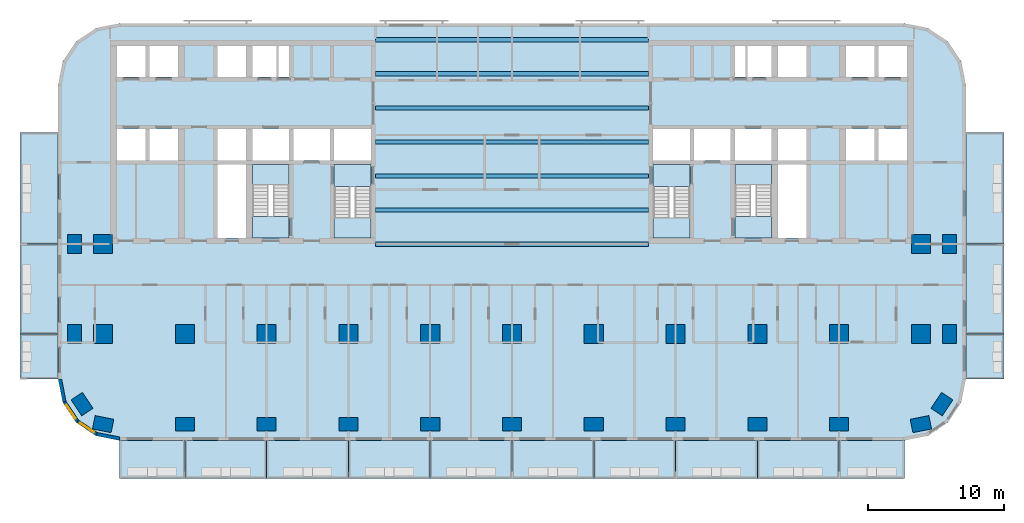
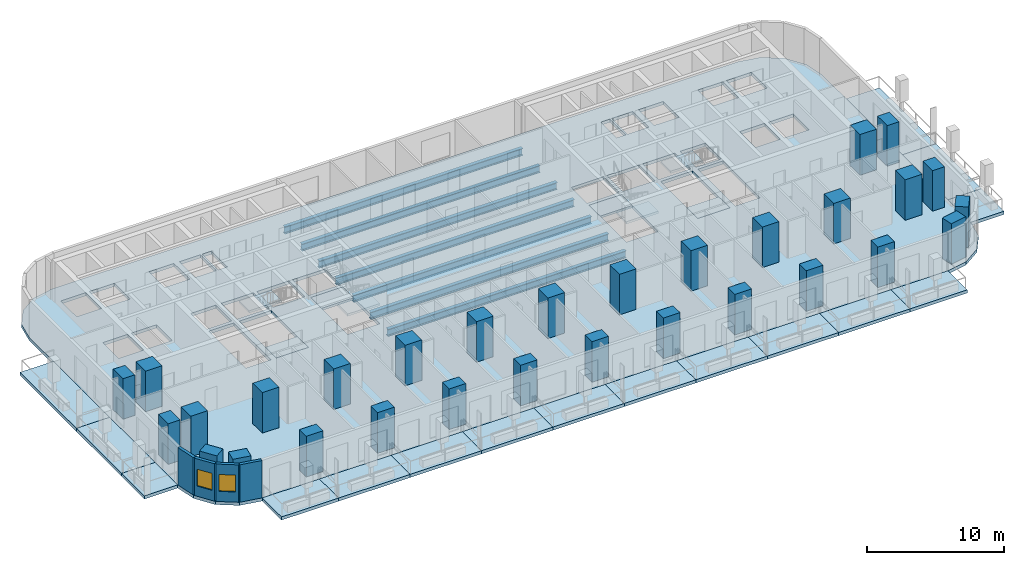
# One storey, part 1 of 14: 30 columns, 25 slabs, 7 beams, 4 walls, 2 windows, 2 openings, 4 elements without a shape of their own.
"""IFC4 building model written with IfcOpenShell, lengths in metres."""

from ifc_helpers import new_model, si_unit, direction, frame, frame_2d, origin, origin_2d, place, context, subcontext, project, spatial, polyline, rectangle, i_section, outline, extrude, material, layer, layer_set, material_profile, profile_set, type_object, element, fill, aggregate, save


model = new_model("IFC4")

# Units and contexts
model_context = context("Model", 3, precision=1e-05, world=origin(), true_north=direction((0.0, 1.0)))
body_context = subcontext(model_context, "Body", "Model", "MODEL_VIEW")
ifc_project = project(units=[si_unit("LENGTHUNIT", "METRE"), si_unit("AREAUNIT", "SQUARE_METRE"), si_unit("VOLUMEUNIT", "CUBIC_METRE"), si_unit("PLANEANGLEUNIT", "RADIAN"), si_unit("MASSUNIT", "GRAM", prefix="KILO")], contexts=[model_context])

# Site, building, storey
site_placement = place(None, origin())
site = spatial("IfcSite", under=ifc_project, at=site_placement, CompositionType="ELEMENT")
building_placement = place(site_placement, origin())
building = spatial("IfcBuilding", under=site, at=building_placement, Name="Torana Hotel and Residences", CompositionType="ELEMENT")
storey_placement = place(building_placement, frame((0.0, 0.0, 34.800048828125)))
storey = spatial("IfcBuildingStorey", under=building, at=storey_placement, Name="L07", CompositionType="ELEMENT", Elevation=34.800048828125)

# Columns
ifc_material_1 = material(Name="Concrete C70/85", Category="concrete")
ifc_material_profile_1 = material_profile(ifc_material_1, rectangle(XDim=1.39990234375, YDim=1.0, at=origin_2d()), Name="RC 1400x1000")
ifc_profile_set_1 = profile_set([ifc_material_profile_1], Name="Concrete C70/85")
column_type_1 = type_object("IfcColumnType", Name="COLUMN RC 1400x1000 C70/85", PredefinedType="COLUMN", material=ifc_profile_set_1)
for number, where, z_axis, x_axis, name in (
    (1, (-32.10009765625, -21.60009765625, 0.0), (0.0, 0.0, 1.0), (0.0, 1.0, 0.0), "Column L07"),
    (2, (-32.10009765625, -15.0, 0.0), (0.0, 0.0, 1.0), (0.0, 1.0, 0.0), "Column L07"),
    (3, (-31.5439453125, -26.73291015625, 0.0), (0.0, 0.0, 1.0), (-0.555584744817, 0.831459915646, 0.0), "Column L07"),
    (4, (-30.0, -28.199951171875, 0.0), (0.0, 0.0, 1.0), (-0.980792089743, 0.195056086032, 0.0), "Column L07"),
    (5, (-24.0, -28.199951171875, 0.0), (0.0, 0.0, 1.0), (1.0, 0.0, 0.0), "Column L07"),
    (6, (-18.0, -28.199951171875, 0.0), (0.0, 0.0, 1.0), (1.0, 0.0, 0.0), "Column L07"),
    (7, (-12.0, -28.199951171875, 0.0), (0.0, 0.0, 1.0), (1.0, 0.0, 0.0), "Column L07"),
    (8, (-6.0, -28.199951171875, 0.0), (0.0, 0.0, 1.0), (1.0, 0.0, 0.0), "Column L07"),
    (9, (0.0, -28.199951171875, 0.0), (0.0, 0.0, 1.0), (1.0, 0.0, 0.0), "Column L07"),
    (10, (6.0, -28.199951171875, 0.0), (0.0, 0.0, 1.0), (1.0, 0.0, 0.0), "Column L07"),
    (11, (12.0, -28.199951171875, 0.0), (0.0, 0.0, 1.0), (1.0, 0.0, 0.0), "Column L07"),
    (12, (18.0, -28.199951171875, 0.0), (0.0, 0.0, 1.0), (1.0, 0.0, 0.0), "Column L07"),
    (13, (24.0, -28.199951171875, 0.0), (0.0, 0.0, 1.0), (1.0, 0.0, 0.0), "Column L07"),
    (14, (30.0, -28.199951171875, 0.0), (0.0, 0.0, 1.0), (0.980792089743, 0.195056086032, 0.0), "Column L07"),
    (15, (31.5439453125, -26.73291015625, 0.0), (0.0, 0.0, 1.0), (0.555584744817, 0.831459915646, 0.0), "Column L07"),
    (16, (32.10009765625, -21.60009765625, 0.0), (0.0, 0.0, 1.0), (0.0, 1.0, 0.0), "Column L07"),
    (17, (32.10009765625, -15.0, 0.0), (0.0, 0.0, 1.0), (0.0, 1.0, 0.0), "Column L07"),
):
    element("IfcColumn", number, at=place(storey_placement, frame(where, z_axis=z_axis, x_axis=x_axis)), inside=storey, type_object=column_type_1, Name=name, PredefinedType="COLUMN", context=body_context, shape_type="SweptSolid", body=[
        extrude(rectangle(XDim=1.39990234375, YDim=1.0, at=origin_2d()), origin(), (0.0, 0.0, 1.0), 3.599853515625),
    ])
ifc_material_2 = material(Name="Concrete C70/85", Category="concrete")
ifc_material_profile_2 = material_profile(ifc_material_2, rectangle(XDim=1.39990234375, YDim=1.39990234375, at=origin_2d()), Name="RC 1400x1400")
ifc_profile_set_2 = profile_set([ifc_material_profile_2], Name="Concrete C70/85")
column_type_2 = type_object("IfcColumnType", Name="COLUMN RC 1400x1400 C70/85", PredefinedType="COLUMN", material=ifc_profile_set_2)
for number, where, z_axis, x_axis, name in (
    (18, (-30.0, -21.60009765625, 0.0), (0.0, 0.0, 1.0), (1.0, 0.0, 0.0), "Column L07"),
    (19, (-30.0, -15.0, 0.0), (0.0, 0.0, 1.0), (1.0, 0.0, 0.0), "Column L07"),
    (20, (-24.0, -21.60009765625, 0.0), (0.0, 0.0, 1.0), (1.0, 0.0, 0.0), "Column L07"),
    (21, (-18.0, -21.60009765625, 0.0), (0.0, 0.0, 1.0), (1.0, 0.0, 0.0), "Column L07"),
    (22, (-12.0, -21.60009765625, 0.0), (0.0, 0.0, 1.0), (1.0, 0.0, 0.0), "Column L07"),
    (23, (-6.0, -21.60009765625, 0.0), (0.0, 0.0, 1.0), (1.0, 0.0, 0.0), "Column L07"),
    (24, (0.0, -21.60009765625, 0.0), (0.0, 0.0, 1.0), (1.0, 0.0, 0.0), "Column L07"),
    (25, (6.0, -21.60009765625, 0.0), (0.0, 0.0, 1.0), (1.0, 0.0, 0.0), "Column L07"),
    (26, (12.0, -21.60009765625, 0.0), (0.0, 0.0, 1.0), (1.0, 0.0, 0.0), "Column L07"),
    (27, (18.0, -21.60009765625, 0.0), (0.0, 0.0, 1.0), (1.0, 0.0, 0.0), "Column L07"),
    (28, (24.0, -21.60009765625, 0.0), (0.0, 0.0, 1.0), (1.0, 0.0, 0.0), "Column L07"),
    (29, (30.0, -21.60009765625, 0.0), (0.0, 0.0, 1.0), (1.0, 0.0, 0.0), "Column L07"),
    (30, (30.0, -15.0, 0.0), (0.0, 0.0, 1.0), (1.0, 0.0, 0.0), "Column L07"),
):
    element("IfcColumn", number, at=place(storey_placement, frame(where, z_axis=z_axis, x_axis=x_axis)), inside=storey, type_object=column_type_2, Name=name, PredefinedType="COLUMN", context=body_context, shape_type="SweptSolid", body=[
        extrude(rectangle(XDim=1.39990234375, YDim=1.39990234375, at=origin_2d()), origin(), (0.0, 0.0, 1.0), 3.599853515625),
    ])

# Beams
ifc_material_3 = material(Name="Steel S355", Category="steel")
ifc_material_profile_3 = material_profile(ifc_material_3, i_section(OverallWidth=0.311279296875, OverallDepth=0.6357421875, WebThickness=0.018310546875, FlangeThickness=0.031494140625, FilletRadius=0.0166015625, at=origin_2d()), Name="610x305x238 UB")
ifc_profile_set_3 = profile_set([ifc_material_profile_3], Name="Steel S355")
beam_type = type_object("IfcBeamType", Name="STEEL GIRDER 610x305x238 UB", PredefinedType="BEAM", material=ifc_profile_set_3)
for number, where, z_axis, x_axis, name in (
    (31, (-10.0, -15.0, -0.597900390625), (1.0, 0.0, 0.0), (0.0, 1.0, 0.0), "Floor girder"),
    (32, (-10.0, -12.5, -0.597900390625), (1.0, 0.0, 0.0), (0.0, 1.0, 0.0), "Floor girder"),
    (33, (-10.0, -10.0, -0.597900390625), (1.0, 0.0, 0.0), (0.0, 1.0, 0.0), "Floor girder"),
    (34, (-10.0, -7.5, -0.597900390625), (1.0, 0.0, 0.0), (0.0, 1.0, 0.0), "Floor girder"),
    (35, (-10.0, -5.0, -0.597900390625), (1.0, 0.0, 0.0), (0.0, 1.0, 0.0), "Floor girder"),
    (36, (-10.0, -2.5, -0.597900390625), (1.0, 0.0, 0.0), (0.0, 1.0, 0.0), "Floor girder"),
    (37, (-10.0, 0.0, -0.597900390625), (1.0, 0.0, 0.0), (0.0, 1.0, 0.0), "Floor girder"),
):
    element("IfcBeam", number, at=place(storey_placement, frame(where, z_axis=z_axis, x_axis=x_axis)), inside=storey, type_object=beam_type, Name=name, PredefinedType="BEAM", context=body_context, shape_type="SweptSolid", body=[
        extrude(i_section(OverallWidth=0.311279296875, OverallDepth=0.6357421875, WebThickness=0.018310546875, FlangeThickness=0.031494140625, FilletRadius=0.0166015625, at=origin_2d()), origin(), (0.0, 0.0, 1.0), 20.0),
    ])

# Slabs
ifc_material_4 = material(Name="Concrete C40/50", Category="concrete")
ifc_layer_1 = layer(ifc_material_4, 0.280029296875)
ifc_layer_set_1 = layer_set([ifc_layer_1], Name="BAL1 BALCONY SLAB 280")
slab_type_1 = type_object("IfcSlabType", Name="BAL1 BALCONY SLAB 280", PredefinedType="USERDEFINED", material=ifc_layer_set_1)
slab_1_placement = place(storey_placement, frame((0.0, 0.0, -0.280029296875)))
element("IfcSlab", 38, at=slab_1_placement, inside=storey, type_object=slab_type_1, Name="Balcony 01", ObjectType="BALCONY", PredefinedType="USERDEFINED", context=body_context, shape_type="SweptSolid", body=[
    extrude(outline(polyline([(-28.800048828125, -32.199951171875), (-24.0, -32.199951171875), (-24.0, -29.39990234375), (-28.800048828125, -29.39990234375), (-28.800048828125, -32.199951171875)])), origin(), (0.0, 0.0, 1.0), 0.280029296875),
])
slab_2_placement = place(storey_placement, frame((0.0, 0.0, -0.280029296875)))
element("IfcSlab", 39, at=slab_2_placement, inside=storey, type_object=slab_type_1, Name="Balcony 02", ObjectType="BALCONY", PredefinedType="USERDEFINED", context=body_context, shape_type="SweptSolid", body=[
    extrude(outline(polyline([(-24.0, -32.199951171875), (-18.0, -32.199951171875), (-18.0, -29.39990234375), (-24.0, -29.39990234375), (-24.0, -32.199951171875)])), origin(), (0.0, 0.0, 1.0), 0.280029296875),
])
slab_3_placement = place(storey_placement, frame((0.0, 0.0, -0.280029296875)))
element("IfcSlab", 40, at=slab_3_placement, inside=storey, type_object=slab_type_1, Name="Balcony 03", ObjectType="BALCONY", PredefinedType="USERDEFINED", context=body_context, shape_type="SweptSolid", body=[
    extrude(outline(polyline([(-18.0, -32.199951171875), (-12.0, -32.199951171875), (-12.0, -29.39990234375), (-18.0, -29.39990234375), (-18.0, -32.199951171875)])), origin(), (0.0, 0.0, 1.0), 0.280029296875),
])
slab_4_placement = place(storey_placement, frame((0.0, 0.0, -0.280029296875)))
element("IfcSlab", 41, at=slab_4_placement, inside=storey, type_object=slab_type_1, Name="Balcony 04", ObjectType="BALCONY", PredefinedType="USERDEFINED", context=body_context, shape_type="SweptSolid", body=[
    extrude(outline(polyline([(-12.0, -32.199951171875), (-6.0, -32.199951171875), (-6.0, -29.39990234375), (-12.0, -29.39990234375), (-12.0, -32.199951171875)])), origin(), (0.0, 0.0, 1.0), 0.280029296875),
])
slab_5_placement = place(storey_placement, frame((0.0, 0.0, -0.280029296875)))
element("IfcSlab", 42, at=slab_5_placement, inside=storey, type_object=slab_type_1, Name="Balcony 05", ObjectType="BALCONY", PredefinedType="USERDEFINED", context=body_context, shape_type="SweptSolid", body=[
    extrude(outline(polyline([(-6.0, -32.199951171875), (0.0, -32.199951171875), (0.0, -29.39990234375), (-6.0, -29.39990234375), (-6.0, -32.199951171875)])), origin(), (0.0, 0.0, 1.0), 0.280029296875),
])
slab_6_placement = place(storey_placement, frame((0.0, 0.0, -0.280029296875)))
element("IfcSlab", 43, at=slab_6_placement, inside=storey, type_object=slab_type_1, Name="Balcony 06", ObjectType="BALCONY", PredefinedType="USERDEFINED", context=body_context, shape_type="SweptSolid", body=[
    extrude(outline(polyline([(0.0, -32.199951171875), (6.0, -32.199951171875), (6.0, -29.39990234375), (0.0, -29.39990234375), (0.0, -32.199951171875)])), origin(), (0.0, 0.0, 1.0), 0.280029296875),
])
slab_7_placement = place(storey_placement, frame((0.0, 0.0, -0.280029296875)))
element("IfcSlab", 44, at=slab_7_placement, inside=storey, type_object=slab_type_1, Name="Balcony 07", ObjectType="BALCONY", PredefinedType="USERDEFINED", context=body_context, shape_type="SweptSolid", body=[
    extrude(outline(polyline([(6.0, -32.199951171875), (12.0, -32.199951171875), (12.0, -29.39990234375), (6.0, -29.39990234375), (6.0, -32.199951171875)])), origin(), (0.0, 0.0, 1.0), 0.280029296875),
])
slab_8_placement = place(storey_placement, frame((0.0, 0.0, -0.280029296875)))
element("IfcSlab", 45, at=slab_8_placement, inside=storey, type_object=slab_type_1, Name="Balcony 08", ObjectType="BALCONY", PredefinedType="USERDEFINED", context=body_context, shape_type="SweptSolid", body=[
    extrude(outline(polyline([(12.0, -32.199951171875), (18.0, -32.199951171875), (18.0, -29.39990234375), (12.0, -29.39990234375), (12.0, -32.199951171875)])), origin(), (0.0, 0.0, 1.0), 0.280029296875),
])
slab_9_placement = place(storey_placement, frame((0.0, 0.0, -0.280029296875)))
element("IfcSlab", 46, at=slab_9_placement, inside=storey, type_object=slab_type_1, Name="Balcony 09", ObjectType="BALCONY", PredefinedType="USERDEFINED", context=body_context, shape_type="SweptSolid", body=[
    extrude(outline(polyline([(18.0, -32.199951171875), (24.0, -32.199951171875), (24.0, -29.39990234375), (18.0, -29.39990234375), (18.0, -32.199951171875)])), origin(), (0.0, 0.0, 1.0), 0.280029296875),
])
slab_10_placement = place(storey_placement, frame((0.0, 0.0, -0.280029296875)))
element("IfcSlab", 47, at=slab_10_placement, inside=storey, type_object=slab_type_1, Name="Balcony 10", ObjectType="BALCONY", PredefinedType="USERDEFINED", context=body_context, shape_type="SweptSolid", body=[
    extrude(outline(polyline([(24.0, -32.199951171875), (28.800048828125, -32.199951171875), (28.800048828125, -29.39990234375), (24.0, -29.39990234375), (24.0, -32.199951171875)])), origin(), (0.0, 0.0, 1.0), 0.280029296875),
])
slab_11_placement = place(storey_placement, frame((0.0, 0.0, -0.280029296875)))
element("IfcSlab", 48, at=slab_11_placement, inside=storey, type_object=slab_type_1, Name="Balcony 11", ObjectType="BALCONY", PredefinedType="USERDEFINED", context=body_context, shape_type="SweptSolid", body=[
    extrude(outline(polyline([(-36.10009765625, -24.89990234375), (-33.300048828125, -24.89990234375), (-33.300048828125, -21.60009765625), (-36.10009765625, -21.60009765625), (-36.10009765625, -24.89990234375)])), origin(), (0.0, 0.0, 1.0), 0.280029296875),
])
slab_12_placement = place(storey_placement, frame((0.0, 0.0, -0.280029296875)))
element("IfcSlab", 49, at=slab_12_placement, inside=storey, type_object=slab_type_1, Name="Balcony 12", ObjectType="BALCONY", PredefinedType="USERDEFINED", context=body_context, shape_type="SweptSolid", body=[
    extrude(outline(polyline([(-36.10009765625, -21.60009765625), (-33.300048828125, -21.60009765625), (-33.300048828125, -15.0), (-36.10009765625, -15.0), (-36.10009765625, -21.60009765625)])), origin(), (0.0, 0.0, 1.0), 0.280029296875),
])
slab_13_placement = place(storey_placement, frame((0.0, 0.0, -0.280029296875)))
element("IfcSlab", 50, at=slab_13_placement, inside=storey, type_object=slab_type_1, Name="Balcony 13", ObjectType="BALCONY", PredefinedType="USERDEFINED", context=body_context, shape_type="SweptSolid", body=[
    extrude(outline(polyline([(-36.10009765625, -15.0), (-33.300048828125, -15.0), (-33.300048828125, -6.800048828125), (-36.10009765625, -6.800048828125), (-36.10009765625, -15.0)])), origin(), (0.0, 0.0, 1.0), 0.280029296875),
])
slab_14_placement = place(storey_placement, frame((0.0, 0.0, -0.280029296875)))
element("IfcSlab", 51, at=slab_14_placement, inside=storey, type_object=slab_type_1, Name="Balcony 14", ObjectType="BALCONY", PredefinedType="USERDEFINED", context=body_context, shape_type="SweptSolid", body=[
    extrude(outline(polyline([(33.300048828125, -24.89990234375), (36.10009765625, -24.89990234375), (36.10009765625, -21.60009765625), (33.300048828125, -21.60009765625), (33.300048828125, -24.89990234375)])), origin(), (0.0, 0.0, 1.0), 0.280029296875),
])
slab_15_placement = place(storey_placement, frame((0.0, 0.0, -0.280029296875)))
element("IfcSlab", 52, at=slab_15_placement, inside=storey, type_object=slab_type_1, Name="Balcony 15", ObjectType="BALCONY", PredefinedType="USERDEFINED", context=body_context, shape_type="SweptSolid", body=[
    extrude(outline(polyline([(33.300048828125, -21.60009765625), (36.10009765625, -21.60009765625), (36.10009765625, -15.0), (33.300048828125, -15.0), (33.300048828125, -21.60009765625)])), origin(), (0.0, 0.0, 1.0), 0.280029296875),
])
slab_16_placement = place(storey_placement, frame((0.0, 0.0, -0.280029296875)))
element("IfcSlab", 53, at=slab_16_placement, inside=storey, type_object=slab_type_1, Name="Balcony 16", ObjectType="BALCONY", PredefinedType="USERDEFINED", context=body_context, shape_type="SweptSolid", body=[
    extrude(outline(polyline([(33.300048828125, -15.0), (36.10009765625, -15.0), (36.10009765625, -6.800048828125), (33.300048828125, -6.800048828125), (33.300048828125, -15.0)])), origin(), (0.0, 0.0, 1.0), 0.280029296875),
])
ifc_material_5 = material(Name="Concrete C40/50", Category="concrete")
ifc_layer_2 = layer(ifc_material_5, 0.280029296875)
ifc_layer_set_2 = layer_set([ifc_layer_2], Name="FLOOR SLAB PT 280")
slab_type_2 = type_object("IfcSlabType", Name="FLOOR SLAB PT 280", PredefinedType="FLOOR", material=ifc_layer_set_2)
slab_17_placement = place(storey_placement, frame((0.0, 0.0, -0.280029296875)))
element("IfcSlab", 54, at=slab_17_placement, inside=storey, type_object=slab_type_2, Name="Floor slab", PredefinedType="FLOOR", context=body_context, shape_type="SweptSolid", body=[
    extrude(outline(polyline([(33.300048828125, -3.300048828125), (32.95751953125, -1.577880859375), (31.98193359375, -0.117919921875), (30.522216796875, 0.857421875), (28.800048828125, 1.199951171875), (-28.800048828125, 1.199951171875), (-30.522216796875, 0.857421875), (-31.98193359375, -0.117919921875), (-32.95751953125, -1.577880859375), (-33.300048828125, -3.300048828125), (-33.300048828125, -24.89990234375), (-32.95751953125, -26.6220703125), (-31.98193359375, -28.08203125), (-30.522216796875, -29.0576171875), (-28.800048828125, -29.39990234375), (28.800048828125, -29.39990234375), (30.522216796875, -29.0576171875), (31.98193359375, -28.08203125), (32.95751953125, -26.6220703125), (33.300048828125, -24.89990234375), (33.300048828125, -3.300048828125)]), holes=[polyline([(-13.050048828125, -14.550048828125), (-10.35009765625, -14.550048828125), (-10.35009765625, -9.14990234375), (-13.050048828125, -9.14990234375), (-13.050048828125, -14.550048828125)]), polyline([(-19.050048828125, -14.550048828125), (-16.35009765625, -14.550048828125), (-16.35009765625, -9.14990234375), (-19.050048828125, -9.14990234375), (-19.050048828125, -14.550048828125)]), polyline([(-17.125, -2.75), (-16.35009765625, -2.75), (-16.35009765625, -0.449951171875), (-17.125, -0.449951171875), (-17.125, -2.75)]), polyline([(-19.050048828125, -2.75), (-17.27490234375, -2.75), (-17.27490234375, -0.449951171875), (-19.050048828125, -0.449951171875), (-19.050048828125, -2.75)]), polyline([(-26.60009765625, -2.75), (-24.5, -2.75), (-24.5, -0.449951171875), (-26.60009765625, -0.449951171875), (-26.60009765625, -2.75)]), polyline([(-29.0, -2.75), (-26.89990234375, -2.75), (-26.89990234375, -0.449951171875), (-29.0, -0.449951171875), (-29.0, -2.75)]), polyline([(-26.60009765625, -8.85009765625), (-24.5, -8.85009765625), (-24.5, -6.550048828125), (-26.60009765625, -6.550048828125), (-26.60009765625, -8.85009765625)]), polyline([(-29.0, -8.85009765625), (-26.89990234375, -8.85009765625), (-26.89990234375, -6.550048828125), (-29.0, -6.550048828125), (-29.0, -8.85009765625)]), polyline([(-21.60009765625, -2.75), (-19.5, -2.75), (-19.5, -0.449951171875), (-21.60009765625, -0.449951171875), (-21.60009765625, -2.75)]), polyline([(-21.60009765625, -8.85009765625), (-19.5, -8.85009765625), (-19.5, -6.550048828125), (-21.60009765625, -6.550048828125), (-21.60009765625, -8.85009765625)]), polyline([(-13.050048828125, -8.85009765625), (-10.35009765625, -8.85009765625), (-10.35009765625, -6.550048828125), (-13.050048828125, -6.550048828125), (-13.050048828125, -8.85009765625)]), polyline([(-16.050048828125, -8.85009765625), (-13.35009765625, -8.85009765625), (-13.35009765625, -6.550048828125), (-16.050048828125, -6.550048828125), (-16.050048828125, -8.85009765625)]), polyline([(-19.050048828125, -8.85009765625), (-16.35009765625, -8.85009765625), (-16.35009765625, -6.550048828125), (-19.050048828125, -6.550048828125), (-19.050048828125, -8.85009765625)]), polyline([(-21.60009765625, -14.550048828125), (-19.5, -14.550048828125), (-19.5, -9.14990234375), (-21.60009765625, -9.14990234375), (-21.60009765625, -14.550048828125)]), polyline([(10.35009765625, -14.550048828125), (13.050048828125, -14.550048828125), (13.050048828125, -9.14990234375), (10.35009765625, -9.14990234375), (10.35009765625, -14.550048828125)]), polyline([(16.35009765625, -14.550048828125), (19.050048828125, -14.550048828125), (19.050048828125, -9.14990234375), (16.35009765625, -9.14990234375), (16.35009765625, -14.550048828125)]), polyline([(16.35009765625, -2.75), (17.125, -2.75), (17.125, -0.449951171875), (16.35009765625, -0.449951171875), (16.35009765625, -2.75)]), polyline([(17.27490234375, -2.75), (19.050048828125, -2.75), (19.050048828125, -0.449951171875), (17.27490234375, -0.449951171875), (17.27490234375, -2.75)]), polyline([(24.5, -2.75), (26.60009765625, -2.75), (26.60009765625, -0.449951171875), (24.5, -0.449951171875), (24.5, -2.75)]), polyline([(26.89990234375, -2.75), (29.0, -2.75), (29.0, -0.449951171875), (26.89990234375, -0.449951171875), (26.89990234375, -2.75)]), polyline([(24.5, -8.85009765625), (26.60009765625, -8.85009765625), (26.60009765625, -6.550048828125), (24.5, -6.550048828125), (24.5, -8.85009765625)]), polyline([(26.89990234375, -8.85009765625), (29.0, -8.85009765625), (29.0, -6.550048828125), (26.89990234375, -6.550048828125), (26.89990234375, -8.85009765625)]), polyline([(19.5, -2.75), (21.60009765625, -2.75), (21.60009765625, -0.449951171875), (19.5, -0.449951171875), (19.5, -2.75)]), polyline([(19.5, -8.85009765625), (21.60009765625, -8.85009765625), (21.60009765625, -6.550048828125), (19.5, -6.550048828125), (19.5, -8.85009765625)]), polyline([(10.35009765625, -8.85009765625), (13.050048828125, -8.85009765625), (13.050048828125, -6.550048828125), (10.35009765625, -6.550048828125), (10.35009765625, -8.85009765625)]), polyline([(13.35009765625, -8.85009765625), (16.050048828125, -8.85009765625), (16.050048828125, -6.550048828125), (13.35009765625, -6.550048828125), (13.35009765625, -8.85009765625)]), polyline([(16.35009765625, -8.85009765625), (19.050048828125, -8.85009765625), (19.050048828125, -6.550048828125), (16.35009765625, -6.550048828125), (16.35009765625, -8.85009765625)]), polyline([(19.5, -14.550048828125), (21.60009765625, -14.550048828125), (21.60009765625, -9.14990234375), (19.5, -9.14990234375), (19.5, -14.550048828125)])]), origin(), (0.0, 0.0, 1.0), 0.280029296875),
])

# Stair, slabs
ifc_material_6 = material(Name="Concrete C40/50 precast", Category="concrete")
stair_type_1 = type_object("IfcStairType", Name="STAIR ST1 HALF TURN 1200", PredefinedType="HALF_TURN_STAIR", material=ifc_material_6)
stair_1_placement = place(storey_placement, origin())
stair_1 = element("IfcStair", 55, at=stair_1_placement, inside=storey, type_object=stair_type_1, Name="Stair ST1 L07", PredefinedType="HALF_TURN_STAIR")
ifc_material_7 = material(Name="Concrete C40/50 precast", Category="concrete")
ifc_layer_3 = layer(ifc_material_7, 0.199951171875)
ifc_layer_set_3 = layer_set([ifc_layer_3], Name="STAIR LANDING 200")
slab_type_3 = type_object("IfcSlabType", Name="STAIR LANDING 200", PredefinedType="LANDING", material=ifc_layer_set_3)
slab_18_placement = place(storey_placement, frame((0.0, 0.0, 1.599853515625)))
slab_18 = element("IfcSlab", 56, at=slab_18_placement, type_object=slab_type_3, Name="ST1 landing 1", PredefinedType="LANDING", context=body_context, shape_type="SweptSolid", body=[
    extrude(outline(polyline([(-13.050048828125, -14.550048828125), (-10.35009765625, -14.550048828125), (-10.35009765625, -13.090087890625), (-13.050048828125, -13.090087890625), (-13.050048828125, -14.550048828125)])), origin(), (0.0, 0.0, 1.0), 0.2001953125),
])
slab_19_placement = place(storey_placement, frame((0.0, 0.0, -0.199951171875)))
slab_19 = element("IfcSlab", 57, at=slab_19_placement, type_object=slab_type_3, Name="ST1 landing 2", PredefinedType="LANDING", context=body_context, shape_type="SweptSolid", body=[
    extrude(outline(polyline([(-13.050048828125, -10.75), (-10.35009765625, -10.75), (-10.35009765625, -9.14990234375), (-13.050048828125, -9.14990234375), (-13.050048828125, -10.75)])), origin(), (0.0, 0.0, 1.0), 0.199951171875),
])
aggregate(stair_1, [slab_18, slab_19])

ifc_material_8 = material(Name="Concrete C40/50 precast", Category="concrete")
stair_type_2 = type_object("IfcStairType", Name="STAIR ST2 HALF TURN 1200", PredefinedType="HALF_TURN_STAIR", material=ifc_material_8)
stair_2_placement = place(storey_placement, origin())
stair_2 = element("IfcStair", 58, at=stair_2_placement, inside=storey, type_object=stair_type_2, Name="Stair ST2 L07", PredefinedType="HALF_TURN_STAIR")
slab_20_placement = place(storey_placement, frame((0.0, 0.0, 1.599853515625)))
slab_20 = element("IfcSlab", 59, at=slab_20_placement, type_object=slab_type_3, Name="ST2 landing 1", PredefinedType="LANDING", context=body_context, shape_type="SweptSolid", body=[
    extrude(outline(polyline([(-19.050048828125, -10.610107421875), (-16.35009765625, -10.610107421875), (-16.35009765625, -9.14990234375), (-19.050048828125, -9.14990234375), (-19.050048828125, -10.610107421875)])), origin(), (0.0, 0.0, 1.0), 0.2001953125),
])
slab_21_placement = place(storey_placement, frame((0.0, 0.0, -0.199951171875)))
slab_21 = element("IfcSlab", 60, at=slab_21_placement, type_object=slab_type_3, Name="ST2 landing 2", PredefinedType="LANDING", context=body_context, shape_type="SweptSolid", body=[
    extrude(outline(polyline([(-19.050048828125, -14.550048828125), (-16.35009765625, -14.550048828125), (-16.35009765625, -12.949951171875), (-19.050048828125, -12.949951171875), (-19.050048828125, -14.550048828125)])), origin(), (0.0, 0.0, 1.0), 0.199951171875),
])
aggregate(stair_2, [slab_20, slab_21])

ifc_material_9 = material(Name="Concrete C40/50 precast", Category="concrete")
stair_type_3 = type_object("IfcStairType", Name="STAIR ST3 HALF TURN 1200", PredefinedType="HALF_TURN_STAIR", material=ifc_material_9)
stair_3_placement = place(storey_placement, origin())
stair_3 = element("IfcStair", 61, at=stair_3_placement, inside=storey, type_object=stair_type_3, Name="Stair ST3 L07", PredefinedType="HALF_TURN_STAIR")
slab_22_placement = place(storey_placement, frame((0.0, 0.0, 1.599853515625)))
slab_22 = element("IfcSlab", 62, at=slab_22_placement, type_object=slab_type_3, Name="ST3 landing 1", PredefinedType="LANDING", context=body_context, shape_type="SweptSolid", body=[
    extrude(outline(polyline([(10.35009765625, -14.550048828125), (13.050048828125, -14.550048828125), (13.050048828125, -13.090087890625), (10.35009765625, -13.090087890625), (10.35009765625, -14.550048828125)])), origin(), (0.0, 0.0, 1.0), 0.2001953125),
])
slab_23_placement = place(storey_placement, frame((0.0, 0.0, -0.199951171875)))
slab_23 = element("IfcSlab", 63, at=slab_23_placement, type_object=slab_type_3, Name="ST3 landing 2", PredefinedType="LANDING", context=body_context, shape_type="SweptSolid", body=[
    extrude(outline(polyline([(10.35009765625, -10.75), (13.050048828125, -10.75), (13.050048828125, -9.14990234375), (10.35009765625, -9.14990234375), (10.35009765625, -10.75)])), origin(), (0.0, 0.0, 1.0), 0.199951171875),
])
aggregate(stair_3, [slab_22, slab_23])

ifc_material_10 = material(Name="Concrete C40/50 precast", Category="concrete")
stair_type_4 = type_object("IfcStairType", Name="STAIR ST4 HALF TURN 1200", PredefinedType="HALF_TURN_STAIR", material=ifc_material_10)
stair_4_placement = place(storey_placement, origin())
stair_4 = element("IfcStair", 64, at=stair_4_placement, inside=storey, type_object=stair_type_4, Name="Stair ST4 L07", PredefinedType="HALF_TURN_STAIR")
slab_24_placement = place(storey_placement, frame((0.0, 0.0, 1.599853515625)))
slab_24 = element("IfcSlab", 65, at=slab_24_placement, type_object=slab_type_3, Name="ST4 landing 1", PredefinedType="LANDING", context=body_context, shape_type="SweptSolid", body=[
    extrude(outline(polyline([(16.35009765625, -10.610107421875), (19.050048828125, -10.610107421875), (19.050048828125, -9.14990234375), (16.35009765625, -9.14990234375), (16.35009765625, -10.610107421875)])), origin(), (0.0, 0.0, 1.0), 0.2001953125),
])
slab_25_placement = place(storey_placement, frame((0.0, 0.0, -0.199951171875)))
slab_25 = element("IfcSlab", 66, at=slab_25_placement, type_object=slab_type_3, Name="ST4 landing 2", PredefinedType="LANDING", context=body_context, shape_type="SweptSolid", body=[
    extrude(outline(polyline([(16.35009765625, -14.550048828125), (19.050048828125, -14.550048828125), (19.050048828125, -12.949951171875), (16.35009765625, -12.949951171875), (16.35009765625, -14.550048828125)])), origin(), (0.0, 0.0, 1.0), 0.199951171875),
])
aggregate(stair_4, [slab_24, slab_25])

# Wall
ifc_material_11 = material(Name="Black aluminium composite panel", Category="aluminium")
ifc_layer_4 = layer(ifc_material_11, 0.00390625, Name="Cladding", Category="cladding")
ifc_material_12 = material(Name="Ventilated air cavity")
ifc_layer_5 = layer(ifc_material_12, 0.0400390625, Name="Ventilated cavity", Category="cavity")
ifc_material_13 = material(Name="Mineral wool insulation")
ifc_layer_6 = layer(ifc_material_13, 0.090087890625, Name="Insulation", Category="insulation")
ifc_material_14 = material(Name="Steel S280GD", Category="steel")
ifc_layer_7 = layer(ifc_material_14, 0.092041015625, Name="Steel stud frame", Category="structure")
ifc_material_15 = material(Name="Fire rated plasterboard")
ifc_layer_8 = layer(ifc_material_15, 0.011962890625, Name="Inner board", Category="finish")
ifc_layer_9 = layer(ifc_material_15, 0.011962890625, Name="Second board", Category="finish")
ifc_layer_set_4 = layer_set([ifc_layer_4, ifc_layer_5, ifc_layer_6, ifc_layer_7, ifc_layer_8, ifc_layer_9], Name="EW1 EXTERNAL WALL BLACK METAL CLAD 250")
wall_type = type_object("IfcWallType", Name="EW1 EXTERNAL WALL BLACK METAL CLAD 250", PredefinedType="SOLIDWALL", material=ifc_layer_set_4)
wall_1_placement = place(storey_placement, frame((-33.172607421875, -24.89990234375, 0.0), z_axis=(0.0, 0.0, 1.0), x_axis=(0.195166572128, -0.980770110232, 0.0)))
element("IfcWall", 67, at=wall_1_placement, inside=storey, type_object=wall_type, Name="External wall L07 e0.10", PredefinedType="SOLIDWALL", context=body_context, shape_type="SweptSolid", body=[
    extrude(rectangle(XDim=1.68115234375, YDim=0.25, at=frame_2d((0.840576171875, 0.0))), origin(), (0.0, 0.0, 1.0), 3.320068359375),
])

# Wall, opening, window
wall_2_placement = place(storey_placement, frame((-32.825927734375, -26.593994140625, 0.0), z_axis=(0.0, 0.0, 1.0), x_axis=(0.55555029066, -0.831482937015, 0.0)))
wall_2 = element("IfcWall", 68, at=wall_2_placement, inside=storey, type_object=wall_type, Name="External wall L07 e0.11", PredefinedType="SOLIDWALL", context=body_context, shape_type="SweptSolid", body=[
    extrude(rectangle(XDim=1.65625, YDim=0.25, at=frame_2d((0.828125, 0.0))), origin(), (0.0, 0.0, 1.0), 3.320068359375),
])
opening_1_placement = place(wall_2_placement, frame((0.228271484375, 0.0, 0.89990234375)))
opening_1 = element("IfcOpeningElement", 69, at=opening_1_placement, cuts=wall_2, Name="Opening W5", PredefinedType="OPENING", context=body_context, shape_type="SweptSolid", body=[
    extrude(rectangle(XDim=1.199951171875, YDim=1.5, at=frame_2d((0.60009765625, 0.75))), frame((0.0, 0.135009765625, 0.0), z_axis=(0.0, -1.0, 0.0), x_axis=(1.0, 0.0, 0.0)), (0.0, 0.0, 1.0), 0.27001953125),
])
ifc_material_16 = material(Name="Dark glass in black aluminium frame", Category="aluminium")
window_type = type_object("IfcWindowType", Name="W5 CORNER FACET WINDOW 1200x1500", PartitioningType="SINGLE_PANEL", PredefinedType="WINDOW", material=ifc_material_16)
window_1_placement = place(opening_1_placement, origin())
window_1 = element("IfcWindow", 70, at=window_1_placement, inside=storey, type_object=window_type, Name="Window L07 e0.11", OverallHeight=1.5, OverallWidth=1.199951171875, PartitioningType="SINGLE_PANEL", PredefinedType="WINDOW", context=body_context, shape_type="SweptSolid", body=[
    extrude(rectangle(XDim=1.199951171875, YDim=1.5, at=frame_2d((0.60009765625, 0.75))), frame((0.0, 0.030029296875, 0.0), z_axis=(0.0, -1.0, 0.0), x_axis=(1.0, 0.0, 0.0)), (0.0, 0.0, 1.0), 0.06005859375),
])
fill(opening_1, window_1)

wall_3_placement = place(storey_placement, frame((-31.87109375, -28.005615234375, 0.0), z_axis=(0.0, 0.0, 1.0), x_axis=(0.831482937015, -0.55555029066, 0.0)))
wall_3 = element("IfcWall", 71, at=wall_3_placement, inside=storey, type_object=wall_type, Name="External wall L07 e0.12", PredefinedType="SOLIDWALL", context=body_context, shape_type="SweptSolid", body=[
    extrude(rectangle(XDim=1.65625, YDim=0.25, at=frame_2d((0.828125, 0.0))), origin(), (0.0, 0.0, 1.0), 3.320068359375),
])
opening_2_placement = place(wall_3_placement, frame((0.228271484375, 0.0, 0.89990234375)))
opening_2 = element("IfcOpeningElement", 72, at=opening_2_placement, cuts=wall_3, Name="Opening W5", PredefinedType="OPENING", context=body_context, shape_type="SweptSolid", body=[
    extrude(rectangle(XDim=1.199951171875, YDim=1.5, at=frame_2d((0.60009765625, 0.75))), frame((0.0, 0.135009765625, 0.0), z_axis=(0.0, -1.0, 0.0), x_axis=(1.0, 0.0, 0.0)), (0.0, 0.0, 1.0), 0.27001953125),
])
window_2_placement = place(opening_2_placement, origin())
window_2 = element("IfcWindow", 73, at=window_2_placement, inside=storey, type_object=window_type, Name="Window L07 e0.12", OverallHeight=1.5, OverallWidth=1.199951171875, PartitioningType="SINGLE_PANEL", PredefinedType="WINDOW", context=body_context, shape_type="SweptSolid", body=[
    extrude(rectangle(XDim=1.199951171875, YDim=1.5, at=frame_2d((0.60009765625, 0.75))), frame((0.0, 0.030029296875, 0.0), z_axis=(0.0, -1.0, 0.0), x_axis=(1.0, 0.0, 0.0)), (0.0, 0.0, 1.0), 0.06005859375),
])
fill(opening_2, window_2)

# Wall
wall_4_placement = place(storey_placement, frame((-30.448974609375, -28.944580078125, 0.0), z_axis=(0.0, 0.0, 1.0), x_axis=(0.980775640221, -0.19513878023, 0.0)))
element("IfcWall", 74, at=wall_4_placement, inside=storey, type_object=wall_type, Name="External wall L07 e0.13", PredefinedType="SOLIDWALL", context=body_context, shape_type="SweptSolid", body=[
    extrude(rectangle(XDim=1.681396484375, YDim=0.25, at=frame_2d((0.8408203125, 0.0))), origin(), (0.0, 0.0, 1.0), 3.320068359375),
])

save(model, "model.ifc")
